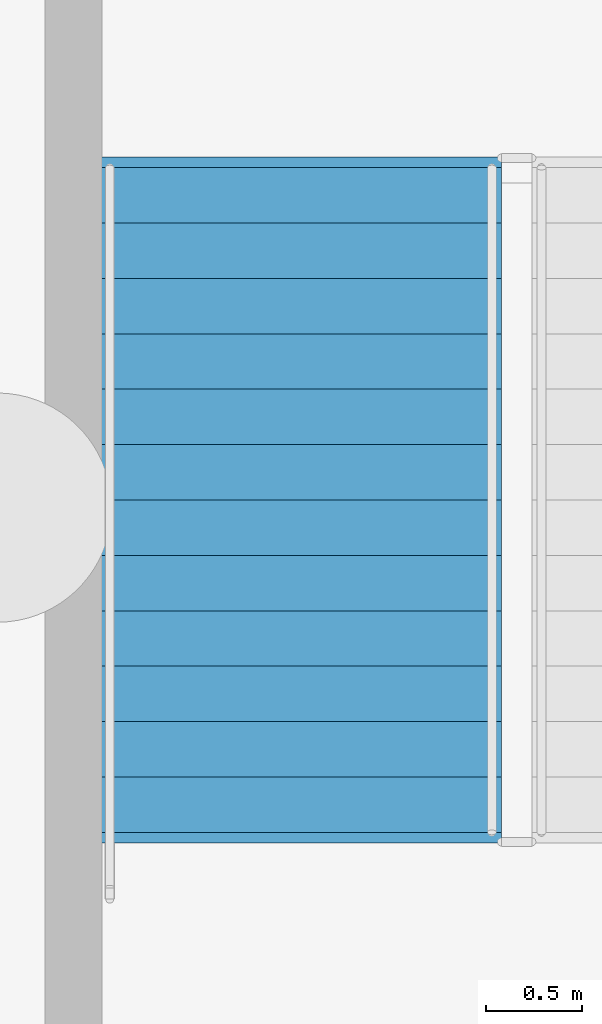
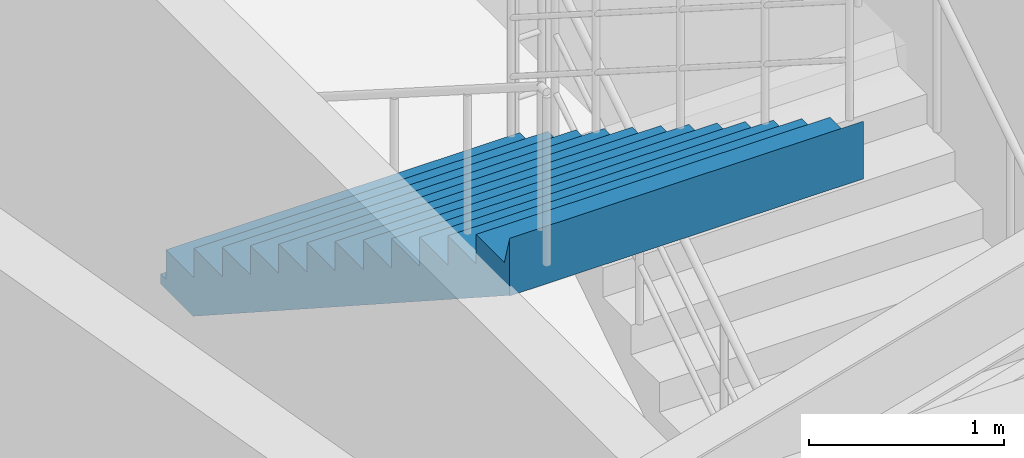
# One storey, part 48 of 68: 1 stair flight, 1 element without a shape of its own.
"""IFC4 building model written with IfcOpenShell, lengths in metres."""

from ifc_helpers import new_model, si_unit, direction, frame, origin, place, context, subcontext, project, spatial, polyline, outline, extrude, material, type_object, element, aggregate, save


model = new_model("IFC4")

# Units and contexts
model_context = context("Model", 3, precision=1e-05, world=origin(), true_north=direction((0.0, 1.0)))
body_context = subcontext(model_context, "Body", "Model", "MODEL_VIEW")
ifc_project = project(units=[si_unit("LENGTHUNIT", "METRE"), si_unit("AREAUNIT", "SQUARE_METRE"), si_unit("VOLUMEUNIT", "CUBIC_METRE"), si_unit("PLANEANGLEUNIT", "RADIAN"), si_unit("MASSUNIT", "GRAM", prefix="KILO")], contexts=[model_context])

# Site, building, storey
site_placement = place(None, origin())
site = spatial("IfcSite", under=ifc_project, at=site_placement, CompositionType="ELEMENT")
building_placement = place(site_placement, origin())
building = spatial("IfcBuilding", under=site, at=building_placement, Name="Cinderbank Siding Concert Hall", CompositionType="ELEMENT")
storey_placement = place(building_placement, frame((0.0, 0.0, -4.800048828125)))
storey = spatial("IfcBuildingStorey", under=building, at=storey_placement, Name="B1", CompositionType="ELEMENT", Elevation=-4.800048828125)

# Stair, stair flight
ifc_material = material(Name="Reinforced concrete AS 3600 N50 (50 MPa)", Category="concrete")
stair_type = type_object("IfcStairType", Name="STR-D Dogleg Exit Stair 2100mm", PredefinedType="HALF_TURN_STAIR", material=ifc_material)
stair_placement = place(storey_placement, origin())
stair = element("IfcStair", 1, at=stair_placement, inside=storey, type_object=stair_type, Name="B1 West Drum Exit Stair ST-04", PredefinedType="HALF_TURN_STAIR")
stair_flight_type = type_object("IfcStairFlightType", Name="SFL-D Concrete Stair Flight 2100mm", PredefinedType="STRAIGHT", material=ifc_material)
stair_flight_placement = place(storey_placement, frame((98.590087890625, 43.97998046875, 2.400146484375), z_axis=(0.0, 0.0, 1.0), x_axis=(0.0, -1.0, 0.0)))
stair_flight = element("IfcStairFlight", 2, at=stair_flight_placement, type_object=stair_flight_type, Name="ST-04 flight 2", NumberOfRisers=13, NumberOfTreads=12, PredefinedType="STRAIGHT", RiserHeight=0.184615385, TreadLength=0.29, context=body_context, shape_type="SweptSolid", body=[
    extrude(outline(polyline([(0.0, 0.0), (0.0, 0.1845703125), (0.2900390625, 0.1845703125), (0.2900390625, 0.369140625), (0.580078125, 0.369140625), (0.580078125, 0.553955078125), (0.8701171875, 0.553955078125), (0.8701171875, 0.738525390625), (1.159912109375, 0.738525390625), (1.159912109375, 0.923095703125), (1.449951171875, 0.923095703125), (1.449951171875, 1.107666015625), (1.739990234375, 1.107666015625), (1.739990234375, 1.292236328125), (2.030029296875, 1.292236328125), (2.030029296875, 1.476806640625), (2.320068359375, 1.476806640625), (2.320068359375, 1.66162109375), (2.610107421875, 1.66162109375), (2.610107421875, 1.84619140625), (2.89990234375, 1.84619140625), (2.89990234375, 2.03076171875), (3.18994140625, 2.03076171875), (3.18994140625, 2.21533203125), (3.47998046875, 2.21533203125), (3.534912109375, 2.39990234375), (3.534912109375, 2.03759765625), (3.53466796875, 2.037841796875), (3.53466796875, 2.0380859375), (3.53466796875, 2.038330078125), (3.53466796875, 2.03857421875), (3.53466796875, 2.038818359375), (3.53466796875, 2.0390625), (3.53466796875, 2.039306640625), (3.53466796875, 2.03955078125), (3.53466796875, 2.039794921875), (3.53466796875, 2.0400390625), (3.53466796875, 2.040283203125), (3.53466796875, 2.04052734375), (3.534423828125, 2.04052734375), (3.534423828125, 2.040283203125), (3.534423828125, 2.0400390625), (3.534423828125, 2.039794921875), (3.534423828125, 2.03955078125), (3.534423828125, 2.039306640625), (3.534423828125, 2.0390625), (3.534423828125, 2.038818359375), (3.534423828125, 2.03857421875), (3.534423828125, 2.038330078125), (3.534423828125, 2.0380859375), (3.534423828125, 2.037841796875), (3.534423828125, 2.03759765625), (3.5341796875, 2.037841796875), (3.5341796875, 2.0380859375), (3.5341796875, 2.038330078125), (3.5341796875, 2.03857421875), (3.5341796875, 2.038818359375), (3.5341796875, 2.0390625), (3.5341796875, 2.039306640625), (3.5341796875, 2.03955078125), (3.5341796875, 2.039794921875), (3.5341796875, 2.0400390625), (3.5341796875, 2.040283203125), (3.5341796875, 2.04052734375), (3.533935546875, 2.04052734375), (3.533935546875, 2.040283203125), (3.533935546875, 2.0400390625), (3.533935546875, 2.039794921875), (3.533935546875, 2.03955078125), (3.533935546875, 2.039306640625), (3.533935546875, 2.0390625), (3.533935546875, 2.038818359375), (3.533935546875, 2.03857421875), (3.533935546875, 2.038330078125), (3.533935546875, 2.0380859375), (3.533935546875, 2.037841796875), (3.533935546875, 2.03759765625), (3.53369140625, 2.037841796875), (3.53369140625, 2.0380859375), (3.53369140625, 2.038330078125), (3.53369140625, 2.03857421875), (3.53369140625, 2.038818359375), (3.53369140625, 2.0390625), (3.53369140625, 2.039306640625), (3.53369140625, 2.03955078125), (3.53369140625, 2.039794921875), (3.53369140625, 2.0400390625), (3.53369140625, 2.040283203125), (3.53369140625, 2.04052734375), (3.533447265625, 2.04052734375), (3.533447265625, 2.040283203125), (3.533447265625, 2.0400390625), (3.533447265625, 2.039794921875), (3.533447265625, 2.03955078125), (3.533447265625, 2.039306640625), (3.533447265625, 2.0390625), (3.533447265625, 2.038818359375), (3.533447265625, 2.03857421875), (3.533447265625, 2.038330078125), (3.533447265625, 2.0380859375), (3.533447265625, 2.037841796875), (3.533447265625, 2.03759765625), (3.533203125, 2.037841796875), (3.533203125, 2.0380859375), (3.533203125, 2.038330078125), (3.533203125, 2.03857421875), (3.533203125, 2.038818359375), (3.533203125, 2.0390625), (3.533203125, 2.039306640625), (3.533203125, 2.03955078125), (3.533203125, 2.039794921875), (3.533203125, 2.0400390625), (3.533203125, 2.040283203125), (3.533203125, 2.04052734375), (3.532958984375, 2.04052734375), (3.532958984375, 2.040283203125), (3.532958984375, 2.0400390625), (3.532958984375, 2.039794921875), (3.532958984375, 2.03955078125), (3.532958984375, 2.039306640625), (3.532958984375, 2.0390625), (3.532958984375, 2.038818359375), (3.532958984375, 2.03857421875), (3.532958984375, 2.038330078125), (3.532958984375, 2.0380859375), (3.532958984375, 2.037841796875), (3.532958984375, 2.03759765625), (3.53271484375, 2.037841796875), (3.53271484375, 2.0380859375), (3.53271484375, 2.038330078125), (3.53271484375, 2.03857421875), (3.53271484375, 2.038818359375), (3.53271484375, 2.0390625), (3.53271484375, 2.039306640625), (3.53271484375, 2.03955078125), (3.53271484375, 2.039794921875), (3.53271484375, 2.0400390625), (3.53271484375, 2.040283203125), (3.53271484375, 2.04052734375), (3.532470703125, 2.04052734375), (3.532470703125, 2.040283203125), (3.532470703125, 2.0400390625), (3.532470703125, 2.039794921875), (3.532470703125, 2.03955078125), (3.532470703125, 2.039306640625), (3.532470703125, 2.0390625), (3.532470703125, 2.038818359375), (3.532470703125, 2.03857421875), (3.532470703125, 2.038330078125), (3.532470703125, 2.0380859375), (3.532470703125, 2.037841796875), (3.532470703125, 2.03759765625), (3.5322265625, 2.037841796875), (3.5322265625, 2.0380859375), (3.5322265625, 2.038330078125), (3.5322265625, 2.03857421875), (3.5322265625, 2.038818359375), (3.5322265625, 2.0390625), (3.5322265625, 2.039306640625), (3.5322265625, 2.03955078125), (3.5322265625, 2.039794921875), (3.5322265625, 2.0400390625), (3.5322265625, 2.040283203125), (3.5322265625, 2.04052734375), (3.531982421875, 2.04052734375), (3.531982421875, 2.040283203125), (3.531982421875, 2.0400390625), (3.531982421875, 2.039794921875), (3.531982421875, 2.03955078125), (3.531982421875, 2.039306640625), (3.531982421875, 2.0390625), (3.531982421875, 2.038818359375), (3.531982421875, 2.03857421875), (3.531982421875, 2.038330078125), (3.531982421875, 2.0380859375), (3.531982421875, 2.037841796875), (3.531982421875, 2.03759765625), (3.53173828125, 2.037841796875), (3.53173828125, 2.0380859375), (3.53173828125, 2.038330078125), (3.53173828125, 2.03857421875), (3.53173828125, 2.038818359375), (3.53173828125, 2.0390625), (3.53173828125, 2.039306640625), (3.53173828125, 2.03955078125), (3.53173828125, 2.039794921875), (3.53173828125, 2.0400390625), (3.53173828125, 2.040283203125), (3.53173828125, 2.04052734375), (3.531494140625, 2.04052734375), (3.531494140625, 2.040283203125), (3.531494140625, 2.0400390625), (3.531494140625, 2.039794921875), (3.531494140625, 2.03955078125), (3.531494140625, 2.039306640625), (3.531494140625, 2.0390625), (3.531494140625, 2.038818359375), (3.531494140625, 2.03857421875), (3.531494140625, 2.038330078125), (3.531494140625, 2.0380859375), (3.531494140625, 2.037841796875), (3.531494140625, 2.03759765625), (3.53125, 2.037841796875), (3.53125, 2.0380859375), (3.53125, 2.038330078125), (3.53125, 2.03857421875), (3.53125, 2.038818359375), (3.53125, 2.0390625), (3.53125, 2.039306640625), (3.53125, 2.03955078125), (3.53125, 2.039794921875), (3.53125, 2.0400390625), (3.53125, 2.040283203125), (3.53125, 2.04052734375), (3.531005859375, 2.04052734375), (3.531005859375, 2.040283203125), (3.531005859375, 2.0400390625), (3.531005859375, 2.039794921875), (3.531005859375, 2.03955078125), (3.531005859375, 2.039306640625), (3.531005859375, 2.0390625), (3.531005859375, 2.038818359375), (3.531005859375, 2.03857421875), (3.531005859375, 2.038330078125), (3.531005859375, 2.0380859375), (3.531005859375, 2.037841796875), (3.531005859375, 2.03759765625), (3.53076171875, 2.037841796875), (3.53076171875, 2.0380859375), (3.53076171875, 2.038330078125), (3.53076171875, 2.03857421875), (3.53076171875, 2.038818359375), (3.53076171875, 2.0390625), (3.53076171875, 2.039306640625), (3.53076171875, 2.03955078125), (3.53076171875, 2.039794921875), (3.53076171875, 2.0400390625), (3.53076171875, 2.040283203125), (3.53076171875, 2.04052734375), (3.530517578125, 2.04052734375), (3.530517578125, 2.040283203125), (3.530517578125, 2.0400390625), (3.530517578125, 2.039794921875), (3.530517578125, 2.03955078125), (3.530517578125, 2.039306640625), (3.530517578125, 2.0390625), (3.530517578125, 2.038818359375), (3.530517578125, 2.03857421875), (3.530517578125, 2.038330078125), (3.530517578125, 2.0380859375), (3.530517578125, 2.037841796875), (3.530517578125, 2.03759765625), (3.5302734375, 2.037841796875), (3.5302734375, 2.0380859375), (3.5302734375, 2.038330078125), (3.5302734375, 2.03857421875), (3.5302734375, 2.038818359375), (3.5302734375, 2.0390625), (3.5302734375, 2.039306640625), (3.5302734375, 2.03955078125), (3.5302734375, 2.039794921875), (3.5302734375, 2.0400390625), (3.5302734375, 2.040283203125), (3.5302734375, 2.04052734375), (3.530029296875, 2.04052734375), (3.530029296875, 2.040283203125), (3.530029296875, 2.0400390625), (3.530029296875, 2.039794921875), (3.530029296875, 2.03955078125), (3.530029296875, 2.039306640625), (3.530029296875, 2.0390625), (3.530029296875, 2.038818359375), (3.530029296875, 2.03857421875), (3.530029296875, 2.038330078125), (3.530029296875, 2.0380859375), (3.530029296875, 2.037841796875), (3.530029296875, 2.03759765625), (3.52978515625, 2.037841796875), (3.52978515625, 2.0380859375), (3.52978515625, 2.038330078125), (3.52978515625, 2.03857421875), (3.52978515625, 2.038818359375), (3.52978515625, 2.0390625), (3.52978515625, 2.039306640625), (3.52978515625, 2.03955078125), (3.52978515625, 2.039794921875), (3.52978515625, 2.0400390625), (3.52978515625, 2.040283203125), (3.52978515625, 2.04052734375), (3.529541015625, 2.04052734375), (3.529541015625, 2.040283203125), (3.529541015625, 2.0400390625), (3.529541015625, 2.039794921875), (3.529541015625, 2.03955078125), (3.529541015625, 2.039306640625), (3.529541015625, 2.0390625), (3.529541015625, 2.038818359375), (3.529541015625, 2.03857421875), (3.529541015625, 2.038330078125), (3.529541015625, 2.0380859375), (3.529541015625, 2.037841796875), (3.529541015625, 2.03759765625), (3.529296875, 2.037841796875), (3.529296875, 2.0380859375), (3.529296875, 2.038330078125), (3.529296875, 2.03857421875), (3.529296875, 2.038818359375), (3.529296875, 2.0390625), (3.529296875, 2.039306640625), (3.529296875, 2.03955078125), (3.529296875, 2.039794921875), (3.529296875, 2.0400390625), (3.529296875, 2.040283203125), (3.529296875, 2.04052734375), (3.529052734375, 2.04052734375), (3.529052734375, 2.040283203125), (3.529052734375, 2.0400390625), (3.529052734375, 2.039794921875), (3.529052734375, 2.03955078125), (3.529052734375, 2.039306640625), (3.529052734375, 2.0390625), (3.529052734375, 2.038818359375), (3.529052734375, 2.03857421875), (3.529052734375, 2.038330078125), (3.529052734375, 2.0380859375), (3.529052734375, 2.037841796875), (3.529052734375, 2.03759765625), (3.52880859375, 2.037841796875), (3.52880859375, 2.0380859375), (3.52880859375, 2.038330078125), (3.52880859375, 2.03857421875), (3.52880859375, 2.038818359375), (3.52880859375, 2.0390625), (3.52880859375, 2.039306640625), (3.52880859375, 2.03955078125), (3.52880859375, 2.039794921875), (3.52880859375, 2.0400390625), (3.52880859375, 2.040283203125), (3.52880859375, 2.04052734375), (3.528564453125, 2.04052734375), (3.528564453125, 2.040283203125), (3.528564453125, 2.0400390625), (3.528564453125, 2.039794921875), (3.528564453125, 2.03955078125), (3.528564453125, 2.039306640625), (3.528564453125, 2.0390625), (3.528564453125, 2.038818359375), (3.528564453125, 2.03857421875), (3.528564453125, 2.038330078125), (3.528564453125, 2.0380859375), (3.528564453125, 2.037841796875), (3.528564453125, 2.03759765625), (0.279052734375, -0.06396484375), (-0.048583984375, -0.063720703125), (-0.048583984375, -0.0634765625), (-0.048583984375, -0.063232421875), (-0.048583984375, -0.06298828125), (-0.048583984375, -0.062744140625), (-0.048583984375, -0.0625), (-0.048583984375, -0.062255859375), (-0.048583984375, -0.06201171875), (-0.048583984375, -0.061767578125), (-0.048583984375, -0.0615234375), (-0.048583984375, -0.061279296875), (-0.048583984375, -0.06103515625), (-0.048828125, -0.06103515625), (-0.048828125, -0.061279296875), (-0.048828125, -0.0615234375), (-0.048828125, -0.061767578125), (-0.048828125, -0.06201171875), (-0.048828125, -0.062255859375), (-0.048828125, -0.0625), (-0.048828125, -0.062744140625), (-0.048828125, -0.06298828125), (-0.048828125, -0.063232421875), (-0.048828125, -0.0634765625), (-0.048828125, -0.063720703125), (-0.048828125, -0.06396484375), (-0.049072265625, -0.063720703125), (-0.049072265625, -0.0634765625), (-0.049072265625, -0.063232421875), (-0.049072265625, -0.06298828125), (-0.049072265625, -0.062744140625), (-0.049072265625, -0.0625), (-0.049072265625, -0.062255859375), (-0.049072265625, -0.06201171875), (-0.049072265625, -0.061767578125), (-0.049072265625, -0.0615234375), (-0.049072265625, -0.061279296875), (-0.049072265625, -0.06103515625), (-0.04931640625, -0.06103515625), (-0.04931640625, -0.061279296875), (-0.04931640625, -0.0615234375), (-0.04931640625, -0.061767578125), (-0.04931640625, -0.06201171875), (-0.04931640625, -0.062255859375), (-0.04931640625, -0.0625), (-0.04931640625, -0.062744140625), (-0.04931640625, -0.06298828125), (-0.04931640625, -0.063232421875), (-0.04931640625, -0.0634765625), (-0.04931640625, -0.063720703125), (-0.04931640625, -0.06396484375), (-0.049560546875, -0.063720703125), (-0.049560546875, -0.0634765625), (-0.049560546875, -0.063232421875), (-0.049560546875, -0.06298828125), (-0.049560546875, -0.062744140625), (-0.049560546875, -0.0625), (-0.049560546875, -0.062255859375), (-0.049560546875, -0.06201171875), (-0.049560546875, -0.061767578125), (-0.049560546875, -0.0615234375), (-0.049560546875, -0.061279296875), (-0.049560546875, -0.06103515625), (-0.0498046875, -0.06103515625), (-0.0498046875, -0.061279296875), (-0.0498046875, -0.0615234375), (-0.0498046875, -0.061767578125), (-0.0498046875, -0.06201171875), (-0.0498046875, -0.062255859375), (-0.0498046875, -0.0625), (-0.0498046875, -0.062744140625), (-0.0498046875, -0.06298828125), (-0.0498046875, -0.063232421875), (-0.0498046875, -0.0634765625), (-0.0498046875, -0.063720703125), (-0.0498046875, -0.06396484375), (-0.050048828125, -0.063720703125), (-0.050048828125, -0.0634765625), (-0.050048828125, -0.063232421875), (-0.050048828125, -0.06298828125), (-0.050048828125, -0.062744140625), (-0.050048828125, -0.0625), (-0.050048828125, -0.062255859375), (-0.050048828125, -0.06201171875), (-0.050048828125, -0.061767578125), (-0.050048828125, -0.0615234375), (-0.050048828125, -0.061279296875), (-0.050048828125, -0.06103515625), (-0.05029296875, -0.06103515625), (-0.05029296875, -0.061279296875), (-0.05029296875, -0.0615234375), (-0.05029296875, -0.061767578125), (-0.05029296875, -0.06201171875), (-0.05029296875, -0.062255859375), (-0.05029296875, -0.0625), (-0.05029296875, -0.062744140625), (-0.05029296875, -0.06298828125), (-0.05029296875, -0.063232421875), (-0.05029296875, -0.0634765625), (-0.05029296875, -0.063720703125), (-0.05029296875, -0.06396484375), (-0.050537109375, -0.063720703125), (-0.050537109375, -0.0634765625), (-0.050537109375, -0.063232421875), (-0.050537109375, -0.06298828125), (-0.050537109375, -0.062744140625), (-0.050537109375, -0.0625), (-0.050537109375, -0.062255859375), (-0.050537109375, -0.06201171875), (-0.050537109375, -0.061767578125), (-0.050537109375, -0.0615234375), (-0.050537109375, -0.061279296875), (-0.050537109375, -0.06103515625), (-0.05078125, -0.06103515625), (-0.05078125, -0.061279296875), (-0.05078125, -0.0615234375), (-0.05078125, -0.061767578125), (-0.05078125, -0.06201171875), (-0.05078125, -0.062255859375), (-0.05078125, -0.0625), (-0.05078125, -0.062744140625), (-0.05078125, -0.06298828125), (-0.05078125, -0.063232421875), (-0.05078125, -0.0634765625), (-0.05078125, -0.063720703125), (-0.05078125, -0.06396484375), (-0.051025390625, -0.063720703125), (-0.051025390625, -0.0634765625), (-0.051025390625, -0.063232421875), (-0.051025390625, -0.06298828125), (-0.051025390625, -0.062744140625), (-0.051025390625, -0.0625), (-0.051025390625, -0.062255859375), (-0.051025390625, -0.06201171875), (-0.051025390625, -0.061767578125), (-0.051025390625, -0.0615234375), (-0.051025390625, -0.061279296875), (-0.051025390625, -0.06103515625), (-0.05126953125, -0.06103515625), (-0.05126953125, -0.061279296875), (-0.05126953125, -0.0615234375), (-0.05126953125, -0.061767578125), (-0.05126953125, -0.06201171875), (-0.05126953125, -0.062255859375), (-0.05126953125, -0.0625), (-0.05126953125, -0.062744140625), (-0.05126953125, -0.06298828125), (-0.05126953125, -0.063232421875), (-0.05126953125, -0.0634765625), (-0.05126953125, -0.063720703125), (-0.05126953125, -0.06396484375), (-0.051513671875, -0.063720703125), (-0.051513671875, -0.0634765625), (-0.051513671875, -0.063232421875), (-0.051513671875, -0.06298828125), (-0.051513671875, -0.062744140625), (-0.051513671875, -0.0625), (-0.051513671875, -0.062255859375), (-0.051513671875, -0.06201171875), (-0.051513671875, -0.061767578125), (-0.051513671875, -0.0615234375), (-0.051513671875, -0.061279296875), (-0.051513671875, -0.06103515625), (-0.0517578125, -0.06103515625), (-0.0517578125, -0.061279296875), (-0.0517578125, -0.0615234375), (-0.0517578125, -0.061767578125), (-0.0517578125, -0.06201171875), (-0.0517578125, -0.062255859375), (-0.0517578125, -0.0625), (-0.0517578125, -0.062744140625), (-0.0517578125, -0.06298828125), (-0.0517578125, -0.063232421875), (-0.0517578125, -0.0634765625), (-0.0517578125, -0.063720703125), (-0.0517578125, -0.06396484375), (-0.052001953125, -0.063720703125), (-0.052001953125, -0.0634765625), (-0.052001953125, -0.063232421875), (-0.052001953125, -0.06298828125), (-0.052001953125, -0.062744140625), (-0.052001953125, -0.0625), (-0.052001953125, -0.062255859375), (-0.052001953125, -0.06201171875), (-0.052001953125, -0.061767578125), (-0.052001953125, -0.0615234375), (-0.052001953125, -0.061279296875), (-0.052001953125, -0.06103515625), (-0.05224609375, -0.06103515625), (-0.05224609375, -0.061279296875), (-0.05224609375, -0.0615234375), (-0.05224609375, -0.061767578125), (-0.05224609375, -0.06201171875), (-0.05224609375, -0.062255859375), (-0.05224609375, -0.0625), (-0.05224609375, -0.062744140625), (-0.05224609375, -0.06298828125), (-0.05224609375, -0.063232421875), (-0.05224609375, -0.0634765625), (-0.05224609375, -0.063720703125), (-0.05224609375, -0.06396484375), (-0.052490234375, -0.063720703125), (-0.052490234375, -0.0634765625), (-0.052490234375, -0.063232421875), (-0.052490234375, -0.06298828125), (-0.052490234375, -0.062744140625), (-0.052490234375, -0.0625), (-0.052490234375, -0.062255859375), (-0.052490234375, -0.06201171875), (-0.052490234375, -0.061767578125), (-0.052490234375, -0.0615234375), (-0.052490234375, -0.061279296875), (-0.052490234375, -0.06103515625), (-0.052734375, -0.06103515625), (-0.052734375, -0.061279296875), (-0.052734375, -0.0615234375), (-0.052734375, -0.061767578125), (-0.052734375, -0.06201171875), (-0.052734375, -0.062255859375), (-0.052734375, -0.0625), (-0.052734375, -0.062744140625), (-0.052734375, -0.06298828125), (-0.052734375, -0.063232421875), (-0.052734375, -0.0634765625), (-0.052734375, -0.063720703125), (-0.052734375, -0.06396484375), (-0.052978515625, -0.063720703125), (-0.052978515625, -0.0634765625), (-0.052978515625, -0.063232421875), (-0.052978515625, -0.06298828125), (-0.052978515625, -0.062744140625), (-0.052978515625, -0.0625), (-0.052978515625, -0.062255859375), (-0.052978515625, -0.06201171875), (-0.052978515625, -0.061767578125), (-0.052978515625, -0.0615234375), (-0.052978515625, -0.061279296875), (-0.052978515625, -0.06103515625), (-0.05322265625, -0.06103515625), (-0.05322265625, -0.061279296875), (-0.05322265625, -0.0615234375), (-0.05322265625, -0.061767578125), (-0.05322265625, -0.06201171875), (-0.05322265625, -0.062255859375), (-0.05322265625, -0.0625), (-0.05322265625, -0.062744140625), (-0.05322265625, -0.06298828125), (-0.05322265625, -0.063232421875), (-0.05322265625, -0.0634765625), (-0.05322265625, -0.063720703125), (-0.05322265625, -0.06396484375), (-0.053466796875, -0.063720703125), (-0.053466796875, -0.0634765625), (-0.053466796875, -0.063232421875), (-0.053466796875, -0.06298828125), (-0.053466796875, -0.062744140625), (-0.053466796875, -0.0625), (-0.053466796875, -0.062255859375), (-0.053466796875, -0.06201171875), (-0.053466796875, -0.061767578125), (-0.053466796875, -0.0615234375), (-0.053466796875, -0.061279296875), (-0.053466796875, -0.06103515625), (-0.0537109375, -0.06103515625), (-0.0537109375, -0.061279296875), (-0.0537109375, -0.0615234375), (-0.0537109375, -0.061767578125), (-0.0537109375, -0.06201171875), (-0.0537109375, -0.062255859375), (-0.0537109375, -0.0625), (-0.0537109375, -0.062744140625), (-0.0537109375, -0.06298828125), (-0.0537109375, -0.063232421875), (-0.0537109375, -0.0634765625), (-0.0537109375, -0.063720703125), (-0.0537109375, -0.06396484375), (-0.053955078125, -0.063720703125), (-0.053955078125, -0.0634765625), (-0.053955078125, -0.063232421875), (-0.053955078125, -0.06298828125), (-0.053955078125, -0.062744140625), (-0.053955078125, -0.0625), (-0.053955078125, -0.062255859375), (-0.053955078125, -0.06201171875), (-0.053955078125, -0.061767578125), (-0.053955078125, -0.0615234375), (-0.053955078125, -0.061279296875), (-0.053955078125, -0.06103515625), (-0.05419921875, -0.06103515625), (-0.05419921875, -0.061279296875), (-0.05419921875, -0.0615234375), (-0.05419921875, -0.061767578125), (-0.05419921875, -0.06201171875), (-0.05419921875, -0.062255859375), (-0.05419921875, -0.0625), (-0.05419921875, -0.062744140625), (-0.05419921875, -0.06298828125), (-0.05419921875, -0.063232421875), (-0.05419921875, -0.0634765625), (-0.05419921875, -0.063720703125), (-0.05419921875, -0.06396484375), (-0.054443359375, -0.063720703125), (-0.054443359375, -0.0634765625), (-0.054443359375, -0.063232421875), (-0.054443359375, -0.06298828125), (-0.054443359375, -0.062744140625), (-0.054443359375, -0.0625), (-0.054443359375, -0.062255859375), (-0.054443359375, -0.06201171875), (-0.054443359375, -0.061767578125), (-0.054443359375, -0.0615234375), (-0.054443359375, -0.061279296875), (-0.054443359375, -0.06103515625), (-0.0546875, -0.06103515625), (-0.0546875, -0.061279296875), (-0.0546875, -0.0615234375), (-0.0546875, -0.061767578125), (-0.0546875, -0.06201171875), (-0.0546875, -0.062255859375), (-0.0546875, -0.0625), (-0.0546875, -0.062744140625), (-0.0546875, -0.06298828125), (-0.0546875, -0.063232421875), (-0.0546875, -0.0634765625), (-0.0546875, -0.063720703125), (-0.0546875, -0.06396484375), (-0.054931640625, -0.06396484375), (-0.054931640625, 0.0), (0.0, 0.0)])), frame((0.0, 1.050048828125, 0.0), z_axis=(0.0, -1.0, 0.0), x_axis=(1.0, 0.0, 0.0)), (0.0, 0.0, 1.0), 2.10009765625),
])
aggregate(stair, [stair_flight])

save(model, "model.ifc")
